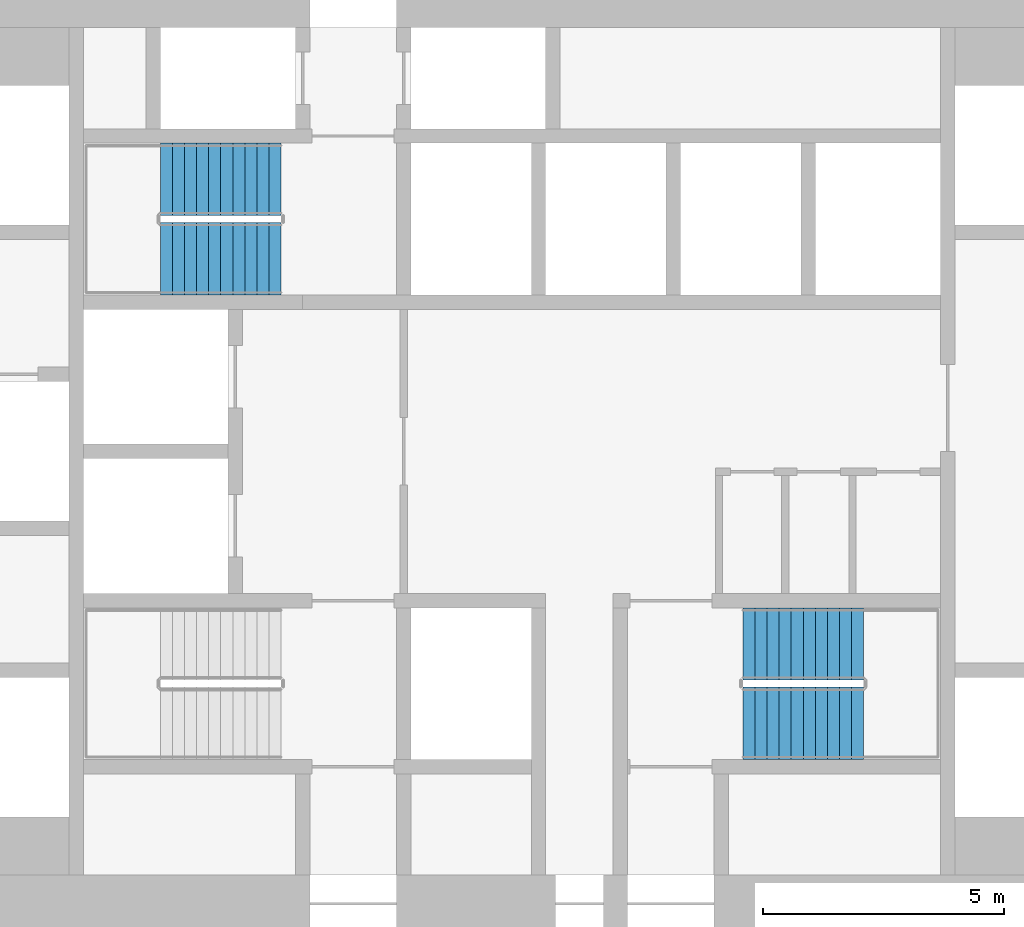
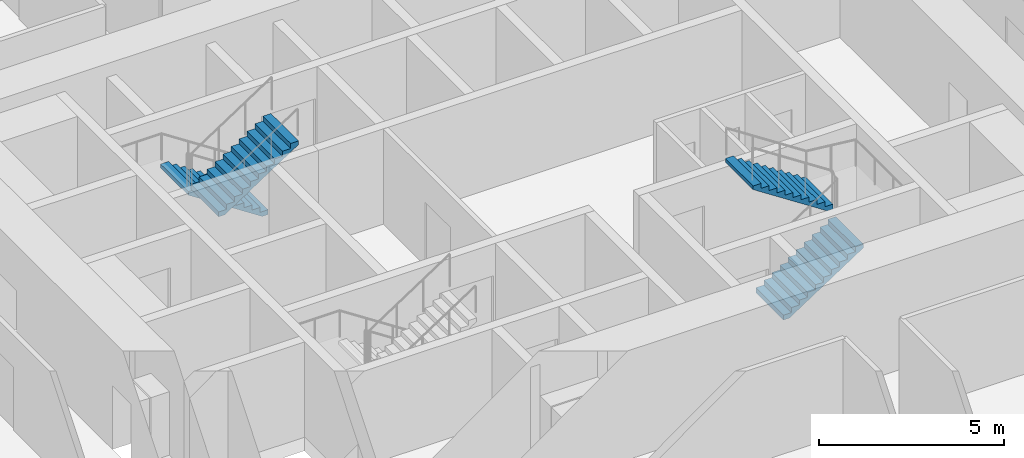
# One storey, part 11 of 12: 4 stair flights, 2 elements without a shape of their own.
"""IFC4 building model written with IfcOpenShell, lengths in metres."""

import ifcopenshell
import ifcopenshell.guid

model = None  # the IFC model being written
_history = None  # IfcOwnerHistory: only IFC2X3 demands one
_inside = {}  # id of a spatial element -> (the spatial element, [elements in it])
_under = {}  # id of a project, library or spatial element -> (it, [spatial elements below it])
_declared = {}  # id of a project -> (the project, [libraries it declares])
_typed = {}  # id of a type object -> (the type object, [elements of that type])
_made_of = {}  # id of a material, layer set ... -> (it, [elements and type objects made of it])


def new_model(schema):
    """Start an empty IFC model of exactly this schema.

    Asked for "IFC4X3", IfcOpenShell would pick the latest addendum, in which some entities
    have other attributes; the version numbers below select the first issue.
    IFC2X3 requires an IfcOwnerHistory on every rooted entity: one is made here for all.
    """
    global model, _history
    if schema == "IFC4X3":
        model = ifcopenshell.file(schema_version=(4, 3, 0, 0))
    else:
        model = ifcopenshell.file(schema=schema)
    _inside.clear()
    _under.clear()
    _declared.clear()
    _typed.clear()
    _made_of.clear()
    _history = None
    if model.schema == "IFC2X3":
        org = make("IfcOrganization", Name="unknown")
        user = make(
            "IfcPersonAndOrganization",
            ThePerson=make("IfcPerson", FamilyName="unknown"),
            TheOrganization=org,
        )
        app = make(
            "IfcApplication",
            ApplicationDeveloper=org,
            Version="unknown",
            ApplicationFullName="unknown",
            ApplicationIdentifier="unknown",
        )
        _history = make(
            "IfcOwnerHistory",
            OwningUser=user,
            OwningApplication=app,
            ChangeAction="ADDED",
            CreationDate=0,
        )
    return model


def make(cls, **values):
    """One entity of the class cls with the attributes given. An attribute that is None is left unset."""
    return model.create_entity(
        cls, **{name: value for name, value in values.items() if value is not None}
    )


def rooted(cls, **values):
    """An entity with a GlobalId (a new one), such as an element, a storey or a relation."""
    return make(cls, GlobalId=ifcopenshell.guid.new(), OwnerHistory=_history, **values)


def si_unit(unit_type, name, prefix=None):
    """IfcSIUnit, for example si_unit("LENGTHUNIT", "METRE", prefix="MILLI")."""
    return make("IfcSIUnit", UnitType=unit_type, Prefix=prefix, Name=name)


def assignment(units):
    """IfcUnitAssignment: the units of a project."""
    return None if units is None else make("IfcUnitAssignment", Units=units)


def point(xyz):
    """IfcCartesianPoint."""
    return None if xyz is None else make("IfcCartesianPoint", Coordinates=xyz)


def direction(xyz):
    """IfcDirection."""
    return None if xyz is None else make("IfcDirection", DirectionRatios=xyz)


def frame(location, z_axis=None, x_axis=None):
    """IfcAxis2Placement3D, a coordinate frame: its origin and axes. An axis left out is left unset."""
    return make(
        "IfcAxis2Placement3D",
        Location=point(location),
        Axis=direction(z_axis),
        RefDirection=direction(x_axis),
    )


def origin():
    """The frame at (0, 0, 0) with its axes left unset."""
    return frame((0.0, 0.0, 0.0))


def place(relative_to, where):
    """IfcLocalPlacement: puts the frame where relative to a parent placement (None: the world)."""
    return make(
        "IfcLocalPlacement", PlacementRelTo=relative_to, RelativePlacement=where
    )


def context(
    kind, dimensions, precision=None, world=None, true_north=None, identifier=None
):
    """IfcGeometricRepresentationContext, for example the 3D "Model" context."""
    return make(
        "IfcGeometricRepresentationContext",
        ContextIdentifier=identifier,
        ContextType=kind,
        CoordinateSpaceDimension=dimensions,
        Precision=precision,
        WorldCoordinateSystem=world,
        TrueNorth=true_north,
    )


def subcontext(parent, identifier, kind, view, scale=None):
    """IfcGeometricRepresentationSubContext, for example "Body" below "Model"."""
    return make(
        "IfcGeometricRepresentationSubContext",
        ContextIdentifier=identifier,
        ContextType=kind,
        ParentContext=parent,
        TargetScale=scale,
        TargetView=view,
    )


def project(units=None, contexts=None):
    """IfcProject with its units and contexts."""
    return rooted(
        "IfcProject",
        Name="project",
        RepresentationContexts=contexts,
        UnitsInContext=assignment(units),
    )


def spatial(cls, under=None, at=None, **own):
    """A site, building, storey or space (cls), placed at a placement, below another one or the project."""
    s = rooted(cls, ObjectPlacement=at, **own)
    if under is not None:
        _under.setdefault(under.id(), (under, []))[1].append(s)
    return s


def polyline(points):
    """IfcPolyline through the points."""
    return make("IfcPolyline", Points=[point(p) for p in points])


def outline(outer, holes=None, kind="AREA"):
    """IfcArbitraryClosedProfileDef: a profile drawn as a closed curve; with holes, ...WithVoids."""
    if holes is None:
        return make("IfcArbitraryClosedProfileDef", ProfileType=kind, OuterCurve=outer)
    return make(
        "IfcArbitraryProfileDefWithVoids",
        ProfileType=kind,
        OuterCurve=outer,
        InnerCurves=holes,
    )


def extrude(swept, where, along, depth):
    """IfcExtrudedAreaSolid: the profile swept, set in the frame where, extruded along a direction by depth."""
    return make(
        "IfcExtrudedAreaSolid",
        SweptArea=swept,
        Position=where,
        ExtrudedDirection=direction(along),
        Depth=depth,
    )


def shape(context_of_items, identifier, shape_type, items):
    """IfcShapeRepresentation: the items that make up one representation, for example the "Body"."""
    return make(
        "IfcShapeRepresentation",
        ContextOfItems=context_of_items,
        RepresentationIdentifier=identifier,
        RepresentationType=shape_type,
        Items=items,
    )


def material(Name=None, Category=None):
    """IfcMaterial."""
    return make("IfcMaterial", Name=Name, Category=Category)


def made_of(thing, what):
    """Note that an element or type object is made of a material, layer set ...; save() writes the relation."""
    if what is not None:
        _made_of.setdefault(what.id(), (what, []))[1].append(thing)
    return thing


def type_object(cls, material=None, **own):
    """A type object (cls), such as IfcWallType, which elements share."""
    return made_of(rooted(cls, **own), material)


def element(
    cls,
    number,
    at=None,
    inside=None,
    cuts=None,
    type_object=None,
    material=None,
    context=None,
    identifier="Body",
    shape_type=None,
    held_by="IfcProductDefinitionShape",
    body=None,
    shapes=None,
    **own,
):
    """One element of the class cls, such as IfcWall. Its Tag is "e" and its number.

    at: its placement. inside: the storey or other place that contains it. cuts: it is an
    opening in that element (IfcRelVoidsElement). A single representation is given by context,
    identifier, shape_type and body (its items); several are given by shapes. held_by: the class
    of the entity that holds the representations. save() writes the other relations.
    """
    e = rooted(cls, Tag="e%d" % number, ObjectPlacement=at, **own)
    if body is not None:
        shapes = [shape(context, identifier, shape_type, body)]
    if shapes is not None:
        e.Representation = make(held_by, Representations=shapes)
    if inside is not None:
        _inside.setdefault(inside.id(), (inside, []))[1].append(e)
    if cuts is not None:
        rooted(
            "IfcRelVoidsElement", RelatingBuildingElement=cuts, RelatedOpeningElement=e
        )
    if type_object is not None:
        _typed.setdefault(type_object.id(), (type_object, []))[1].append(e)
    return made_of(e, material)


def aggregate(whole, parts):
    """IfcRelAggregates: a whole, such as a stair, and the parts it consists of."""
    return rooted("IfcRelAggregates", RelatingObject=whole, RelatedObjects=parts)


def save(model, path):
    """Write the relations noted so far, then the file.

    IfcRelAggregates (storeys below a building ...), IfcRelContainedInSpatialStructure (elements
    in a storey), IfcRelDefinesByType, IfcRelAssociatesMaterial and IfcRelDeclares: one each for
    every whole, place, type object, material and project.
    """
    for whole, parts in _under.values():
        aggregate(whole, parts)
    for where, things in _inside.values():
        rooted(
            "IfcRelContainedInSpatialStructure",
            RelatedElements=things,
            RelatingStructure=where,
        )
    for kind, things in _typed.values():
        rooted("IfcRelDefinesByType", RelatedObjects=things, RelatingType=kind)
    for what, things in _made_of.values():
        rooted("IfcRelAssociatesMaterial", RelatedObjects=things, RelatingMaterial=what)
    for by, libraries in _declared.values():
        rooted("IfcRelDeclares", RelatingContext=by, RelatedDefinitions=libraries)
    model.write(path)


model = new_model("IFC4")

# Units and contexts
model_context = context("Model", 3, precision=1e-05, world=origin(), true_north=direction((0.0, 1.0)))
body_context = subcontext(model_context, "Body", "Model", "MODEL_VIEW")
ifc_project = project(units=[si_unit("LENGTHUNIT", "METRE"), si_unit("AREAUNIT", "SQUARE_METRE"), si_unit("VOLUMEUNIT", "CUBIC_METRE"), si_unit("PLANEANGLEUNIT", "RADIAN"), si_unit("MASSUNIT", "GRAM", prefix="KILO")], contexts=[model_context])

# Site, building, storey
site_placement = place(None, origin())
site = spatial("IfcSite", under=ifc_project, at=site_placement, CompositionType="ELEMENT")
building_placement = place(site_placement, origin())
building = spatial("IfcBuilding", under=site, at=building_placement, Name="Tracery Tower", CompositionType="ELEMENT")
storey_placement = place(building_placement, frame((0.0, 0.0, 89.39990234375)))
storey = spatial("IfcBuildingStorey", under=building, at=storey_placement, Name="L22", CompositionType="ELEMENT", Elevation=89.39990234375)

# Stair, stair flights
ifc_material_1 = material(Name="Concrete C32/40", Category="concrete")
stair_type = type_object("IfcStairType", Name="Core stair 22 risers", PredefinedType="HALF_TURN_STAIR", material=ifc_material_1)
stair_1_placement = place(storey_placement, origin())
stair_1 = element("IfcStair", 1, at=stair_1_placement, inside=storey, type_object=stair_type, Name="L22 stair ST3", PredefinedType="HALF_TURN_STAIR")
ifc_material_2 = material(Name="Concrete C32/40", Category="concrete")
stair_flight_type = type_object("IfcStairFlightType", Name="Core stair flight 11 risers", PredefinedType="STRAIGHT", material=ifc_material_2)
stair_flight_1_placement = place(storey_placement, frame((-4.800048828125, 5.64990234375, 0.0), z_axis=(0.0, 0.0, 1.0), x_axis=(-1.0, 0.0, 0.0)))
stair_flight_1 = element("IfcStairFlight", 2, at=stair_flight_1_placement, type_object=stair_flight_type, Name="ST3 flight 1", NumberOfRisers=11, NumberOfTreads=10, PredefinedType="STRAIGHT", RiserHeight=0.163636364, TreadLength=0.25, context=body_context, shape_type="SweptSolid", body=[
    extrude(outline(polyline([(0.0, 0.0), (0.0, 0.002685546875), (0.0, 0.00537109375), (0.0, 0.008056640625), (0.0, 0.0107421875), (0.0, 0.013427734375), (0.0, 0.01611328125), (0.0, 0.018798828125), (0.0, 0.021484375), (0.0, 0.024169921875), (0.0, 0.02685546875), (0.0, 0.029541015625), (0.0, 0.0322265625), (0.0, 0.034912109375), (0.0, 0.03759765625), (0.0, 0.040283203125), (0.0, 0.04296875), (0.0, 0.045654296875), (0.0, 0.04833984375), (0.0, 0.051025390625), (0.0, 0.0537109375), (0.0, 0.056396484375), (0.0, 0.05908203125), (0.0, 0.061767578125), (0.0, 0.064453125), (0.0, 0.067138671875), (0.0, 0.06982421875), (0.0, 0.072509765625), (0.0, 0.0751953125), (0.0, 0.077880859375), (0.0, 0.08056640625), (0.0, 0.083251953125), (0.0, 0.0859375), (0.0, 0.088623046875), (0.0, 0.09130859375), (0.0, 0.093994140625), (0.0, 0.0966796875), (0.0, 0.099365234375), (0.0, 0.10205078125), (0.0, 0.104736328125), (0.0, 0.107421875), (0.0, 0.10986328125), (0.0, 0.112548828125), (0.0, 0.115234375), (0.0, 0.117919921875), (0.0, 0.12060546875), (0.0, 0.123291015625), (0.0, 0.1259765625), (0.0, 0.128662109375), (0.0, 0.13134765625), (0.0, 0.134033203125), (0.0, 0.13671875), (0.0, 0.139404296875), (0.0, 0.14208984375), (0.0, 0.144775390625), (0.0, 0.1474609375), (0.0, 0.150146484375), (0.0, 0.15283203125), (0.0, 0.155517578125), (0.0, 0.158203125), (0.0, 0.160888671875), (0.0, 0.16357421875), (0.25, 0.16357421875), (0.25, 0.327392578125), (0.5, 0.327392578125), (0.5, 0.490966796875), (0.75, 0.490966796875), (0.75, 0.654541015625), (1.0, 0.654541015625), (1.0, 0.818115234375), (1.25, 0.818115234375), (1.25, 0.98193359375), (1.5, 0.98193359375), (1.5, 1.1455078125), (1.75, 1.1455078125), (1.75, 1.30908203125), (2.0, 1.30908203125), (2.0, 1.47265625), (2.25, 1.47265625), (2.25, 1.636474609375), (2.5, 1.636474609375), (2.5, 1.634521484375), (2.5, 1.63232421875), (2.5, 1.63037109375), (2.5, 1.62841796875), (2.5, 1.62646484375), (2.5, 1.62451171875), (2.5, 1.62255859375), (2.5, 1.62060546875), (2.5, 1.61865234375), (2.5, 1.61669921875), (2.5, 1.61474609375), (2.5, 1.61279296875), (2.5, 1.61083984375), (2.5, 1.60888671875), (2.5, 1.60693359375), (2.5, 1.60498046875), (2.5, 1.60302734375), (2.5, 1.60107421875), (2.5, 1.59912109375), (2.5, 1.59716796875), (2.5, 1.59521484375), (2.5, 1.59326171875), (2.5, 1.59130859375), (2.5, 1.58935546875), (2.5, 1.58740234375), (2.5, 1.58544921875), (2.5, 1.58349609375), (2.5, 1.58154296875), (2.5, 1.57958984375), (2.5, 1.57763671875), (2.5, 1.57568359375), (2.5, 1.573486328125), (2.5, 1.571533203125), (2.5, 1.569580078125), (2.5, 1.567626953125), (2.5, 1.565673828125), (2.5, 1.563720703125), (2.5, 1.561767578125), (2.5, 1.559814453125), (2.5, 1.557861328125), (2.5, 1.555908203125), (2.5, 1.553955078125), (2.5, 1.552001953125), (2.5, 1.550048828125), (2.5, 1.548095703125), (2.5, 1.546142578125), (2.5, 1.544189453125), (2.5, 1.542236328125), (2.5, 1.540283203125), (2.5, 1.538330078125), (2.5, 1.536376953125), (2.5, 1.534423828125), (2.5, 1.532470703125), (2.5, 1.530517578125), (2.5, 1.528564453125), (2.5, 1.526611328125), (2.5, 1.524658203125), (2.5, 1.522705078125), (2.5, 1.520751953125), (2.5, 1.518798828125), (2.5, 1.516845703125), (0.182861328125, 0.0), (0.0, 0.0)])), frame((0.0, 0.75, 0.0), z_axis=(0.0, -1.0, 0.0), x_axis=(1.0, 0.0, 0.0)), (0.0, 0.0, 1.0), 1.5),
])
stair_flight_2_placement = place(storey_placement, frame((-7.300048828125, 4.0, 1.800048828125), z_axis=(0.0, 0.0, 1.0), x_axis=(1.0, 0.0, 0.0)))
stair_flight_2 = element("IfcStairFlight", 3, at=stair_flight_2_placement, type_object=stair_flight_type, Name="ST3 flight 2", NumberOfRisers=11, NumberOfTreads=10, PredefinedType="STRAIGHT", RiserHeight=0.163636364, TreadLength=0.25, context=body_context, shape_type="SweptSolid", body=[
    extrude(outline(polyline([(0.0, 0.0), (0.0, 0.002685546875), (0.0, 0.00537109375), (0.0, 0.008056640625), (0.0, 0.0107421875), (0.0, 0.013427734375), (0.0, 0.01611328125), (0.0, 0.018798828125), (0.0, 0.021484375), (0.0, 0.024169921875), (0.0, 0.02685546875), (0.0, 0.029541015625), (0.0, 0.0322265625), (0.0, 0.034912109375), (0.0, 0.03759765625), (0.0, 0.040283203125), (0.0, 0.04296875), (0.0, 0.045654296875), (0.0, 0.04833984375), (0.0, 0.051025390625), (0.0, 0.0537109375), (0.0, 0.056396484375), (0.0, 0.05908203125), (0.0, 0.061767578125), (0.0, 0.064453125), (0.0, 0.067138671875), (0.0, 0.06982421875), (0.0, 0.072509765625), (0.0, 0.0751953125), (0.0, 0.077880859375), (0.0, 0.08056640625), (0.0, 0.083251953125), (0.0, 0.0859375), (0.0, 0.088623046875), (0.0, 0.09130859375), (0.0, 0.093994140625), (0.0, 0.0966796875), (0.0, 0.099365234375), (0.0, 0.10205078125), (0.0, 0.104736328125), (0.0, 0.107421875), (0.0, 0.10986328125), (0.0, 0.112548828125), (0.0, 0.115234375), (0.0, 0.117919921875), (0.0, 0.12060546875), (0.0, 0.123291015625), (0.0, 0.1259765625), (0.0, 0.128662109375), (0.0, 0.13134765625), (0.0, 0.134033203125), (0.0, 0.13671875), (0.0, 0.139404296875), (0.0, 0.14208984375), (0.0, 0.144775390625), (0.0, 0.1474609375), (0.0, 0.150146484375), (0.0, 0.15283203125), (0.0, 0.155517578125), (0.0, 0.158203125), (0.0, 0.160888671875), (0.0, 0.16357421875), (0.25, 0.16357421875), (0.25, 0.327392578125), (0.5, 0.327392578125), (0.5, 0.490966796875), (0.75, 0.490966796875), (0.75, 0.654541015625), (1.0, 0.654541015625), (1.0, 0.818115234375), (1.25, 0.818115234375), (1.25, 0.98193359375), (1.5, 0.98193359375), (1.5, 1.1455078125), (1.75, 1.1455078125), (1.75, 1.30908203125), (2.0, 1.30908203125), (2.0, 1.47265625), (2.25, 1.47265625), (2.25, 1.636474609375), (2.5, 1.636474609375), (2.5, 1.634521484375), (2.5, 1.63232421875), (2.5, 1.63037109375), (2.5, 1.62841796875), (2.5, 1.62646484375), (2.5, 1.62451171875), (2.5, 1.62255859375), (2.5, 1.62060546875), (2.5, 1.61865234375), (2.5, 1.61669921875), (2.5, 1.61474609375), (2.5, 1.61279296875), (2.5, 1.61083984375), (2.5, 1.60888671875), (2.5, 1.60693359375), (2.5, 1.60498046875), (2.5, 1.60302734375), (2.5, 1.60107421875), (2.5, 1.59912109375), (2.5, 1.59716796875), (2.5, 1.59521484375), (2.5, 1.59326171875), (2.5, 1.59130859375), (2.5, 1.58935546875), (2.5, 1.58740234375), (2.5, 1.58544921875), (2.5, 1.58349609375), (2.5, 1.58154296875), (2.5, 1.57958984375), (2.5, 1.57763671875), (2.5, 1.57568359375), (2.5, 1.573486328125), (2.5, 1.571533203125), (2.5, 1.569580078125), (2.5, 1.567626953125), (2.5, 1.565673828125), (2.5, 1.563720703125), (2.5, 1.561767578125), (2.5, 1.559814453125), (2.5, 1.557861328125), (2.5, 1.555908203125), (2.5, 1.553955078125), (2.5, 1.552001953125), (2.5, 1.550048828125), (2.5, 1.548095703125), (2.5, 1.546142578125), (2.5, 1.544189453125), (2.5, 1.542236328125), (2.5, 1.540283203125), (2.5, 1.538330078125), (2.5, 1.536376953125), (2.5, 1.534423828125), (2.5, 1.532470703125), (2.5, 1.530517578125), (2.5, 1.528564453125), (2.5, 1.526611328125), (2.5, 1.524658203125), (2.5, 1.522705078125), (2.5, 1.520751953125), (2.5, 1.518798828125), (2.5, 1.516845703125), (0.182861328125, 0.0), (0.0, 0.0)])), frame((0.0, 0.75, 0.0), z_axis=(0.0, -1.0, 0.0), x_axis=(1.0, 0.0, 0.0)), (0.0, 0.0, 1.0), 1.5),
])
aggregate(stair_1, [stair_flight_1, stair_flight_2])

stair_2_placement = place(storey_placement, origin())
stair_2 = element("IfcStair", 4, at=stair_2_placement, inside=storey, type_object=stair_type, Name="L22 stair ST2", PredefinedType="HALF_TURN_STAIR")
stair_flight_3_placement = place(storey_placement, frame((4.800048828125, -5.64990234375, 0.0), z_axis=(0.0, 0.0, 1.0), x_axis=(1.0, 0.0, 0.0)))
stair_flight_3 = element("IfcStairFlight", 5, at=stair_flight_3_placement, type_object=stair_flight_type, Name="ST2 flight 1", NumberOfRisers=11, NumberOfTreads=10, PredefinedType="STRAIGHT", RiserHeight=0.163636364, TreadLength=0.25, context=body_context, shape_type="SweptSolid", body=[
    extrude(outline(polyline([(0.0, 0.0), (0.0, 0.002685546875), (0.0, 0.00537109375), (0.0, 0.008056640625), (0.0, 0.0107421875), (0.0, 0.013427734375), (0.0, 0.01611328125), (0.0, 0.018798828125), (0.0, 0.021484375), (0.0, 0.024169921875), (0.0, 0.02685546875), (0.0, 0.029541015625), (0.0, 0.0322265625), (0.0, 0.034912109375), (0.0, 0.03759765625), (0.0, 0.040283203125), (0.0, 0.04296875), (0.0, 0.045654296875), (0.0, 0.04833984375), (0.0, 0.051025390625), (0.0, 0.0537109375), (0.0, 0.056396484375), (0.0, 0.05908203125), (0.0, 0.061767578125), (0.0, 0.064453125), (0.0, 0.067138671875), (0.0, 0.06982421875), (0.0, 0.072509765625), (0.0, 0.0751953125), (0.0, 0.077880859375), (0.0, 0.08056640625), (0.0, 0.083251953125), (0.0, 0.0859375), (0.0, 0.088623046875), (0.0, 0.09130859375), (0.0, 0.093994140625), (0.0, 0.0966796875), (0.0, 0.099365234375), (0.0, 0.10205078125), (0.0, 0.104736328125), (0.0, 0.107421875), (0.0, 0.10986328125), (0.0, 0.112548828125), (0.0, 0.115234375), (0.0, 0.117919921875), (0.0, 0.12060546875), (0.0, 0.123291015625), (0.0, 0.1259765625), (0.0, 0.128662109375), (0.0, 0.13134765625), (0.0, 0.134033203125), (0.0, 0.13671875), (0.0, 0.139404296875), (0.0, 0.14208984375), (0.0, 0.144775390625), (0.0, 0.1474609375), (0.0, 0.150146484375), (0.0, 0.15283203125), (0.0, 0.155517578125), (0.0, 0.158203125), (0.0, 0.160888671875), (0.0, 0.16357421875), (0.25, 0.16357421875), (0.25, 0.327392578125), (0.5, 0.327392578125), (0.5, 0.490966796875), (0.75, 0.490966796875), (0.75, 0.654541015625), (1.0, 0.654541015625), (1.0, 0.818115234375), (1.25, 0.818115234375), (1.25, 0.98193359375), (1.5, 0.98193359375), (1.5, 1.1455078125), (1.75, 1.1455078125), (1.75, 1.30908203125), (2.0, 1.30908203125), (2.0, 1.47265625), (2.25, 1.47265625), (2.25, 1.636474609375), (2.5, 1.636474609375), (2.5, 1.634521484375), (2.5, 1.63232421875), (2.5, 1.63037109375), (2.5, 1.62841796875), (2.5, 1.62646484375), (2.5, 1.62451171875), (2.5, 1.62255859375), (2.5, 1.62060546875), (2.5, 1.61865234375), (2.5, 1.61669921875), (2.5, 1.61474609375), (2.5, 1.61279296875), (2.5, 1.61083984375), (2.5, 1.60888671875), (2.5, 1.60693359375), (2.5, 1.60498046875), (2.5, 1.60302734375), (2.5, 1.60107421875), (2.5, 1.59912109375), (2.5, 1.59716796875), (2.5, 1.59521484375), (2.5, 1.59326171875), (2.5, 1.59130859375), (2.5, 1.58935546875), (2.5, 1.58740234375), (2.5, 1.58544921875), (2.5, 1.58349609375), (2.5, 1.58154296875), (2.5, 1.57958984375), (2.5, 1.57763671875), (2.5, 1.57568359375), (2.5, 1.573486328125), (2.5, 1.571533203125), (2.5, 1.569580078125), (2.5, 1.567626953125), (2.5, 1.565673828125), (2.5, 1.563720703125), (2.5, 1.561767578125), (2.5, 1.559814453125), (2.5, 1.557861328125), (2.5, 1.555908203125), (2.5, 1.553955078125), (2.5, 1.552001953125), (2.5, 1.550048828125), (2.5, 1.548095703125), (2.5, 1.546142578125), (2.5, 1.544189453125), (2.5, 1.542236328125), (2.5, 1.540283203125), (2.5, 1.538330078125), (2.5, 1.536376953125), (2.5, 1.534423828125), (2.5, 1.532470703125), (2.5, 1.530517578125), (2.5, 1.528564453125), (2.5, 1.526611328125), (2.5, 1.524658203125), (2.5, 1.522705078125), (2.5, 1.520751953125), (2.5, 1.518798828125), (2.5, 1.516845703125), (0.182861328125, 0.0), (0.0, 0.0)])), frame((0.0, 0.75, 0.0), z_axis=(0.0, -1.0, 0.0), x_axis=(1.0, 0.0, 0.0)), (0.0, 0.0, 1.0), 1.5),
])
stair_flight_4_placement = place(storey_placement, frame((7.300048828125, -4.0, 1.800048828125), z_axis=(0.0, 0.0, 1.0), x_axis=(-1.0, 0.0, 0.0)))
stair_flight_4 = element("IfcStairFlight", 6, at=stair_flight_4_placement, type_object=stair_flight_type, Name="ST2 flight 2", NumberOfRisers=11, NumberOfTreads=10, PredefinedType="STRAIGHT", RiserHeight=0.163636364, TreadLength=0.25, context=body_context, shape_type="SweptSolid", body=[
    extrude(outline(polyline([(0.0, 0.0), (0.0, 0.002685546875), (0.0, 0.00537109375), (0.0, 0.008056640625), (0.0, 0.0107421875), (0.0, 0.013427734375), (0.0, 0.01611328125), (0.0, 0.018798828125), (0.0, 0.021484375), (0.0, 0.024169921875), (0.0, 0.02685546875), (0.0, 0.029541015625), (0.0, 0.0322265625), (0.0, 0.034912109375), (0.0, 0.03759765625), (0.0, 0.040283203125), (0.0, 0.04296875), (0.0, 0.045654296875), (0.0, 0.04833984375), (0.0, 0.051025390625), (0.0, 0.0537109375), (0.0, 0.056396484375), (0.0, 0.05908203125), (0.0, 0.061767578125), (0.0, 0.064453125), (0.0, 0.067138671875), (0.0, 0.06982421875), (0.0, 0.072509765625), (0.0, 0.0751953125), (0.0, 0.077880859375), (0.0, 0.08056640625), (0.0, 0.083251953125), (0.0, 0.0859375), (0.0, 0.088623046875), (0.0, 0.09130859375), (0.0, 0.093994140625), (0.0, 0.0966796875), (0.0, 0.099365234375), (0.0, 0.10205078125), (0.0, 0.104736328125), (0.0, 0.107421875), (0.0, 0.10986328125), (0.0, 0.112548828125), (0.0, 0.115234375), (0.0, 0.117919921875), (0.0, 0.12060546875), (0.0, 0.123291015625), (0.0, 0.1259765625), (0.0, 0.128662109375), (0.0, 0.13134765625), (0.0, 0.134033203125), (0.0, 0.13671875), (0.0, 0.139404296875), (0.0, 0.14208984375), (0.0, 0.144775390625), (0.0, 0.1474609375), (0.0, 0.150146484375), (0.0, 0.15283203125), (0.0, 0.155517578125), (0.0, 0.158203125), (0.0, 0.160888671875), (0.0, 0.16357421875), (0.25, 0.16357421875), (0.25, 0.327392578125), (0.5, 0.327392578125), (0.5, 0.490966796875), (0.75, 0.490966796875), (0.75, 0.654541015625), (1.0, 0.654541015625), (1.0, 0.818115234375), (1.25, 0.818115234375), (1.25, 0.98193359375), (1.5, 0.98193359375), (1.5, 1.1455078125), (1.75, 1.1455078125), (1.75, 1.30908203125), (2.0, 1.30908203125), (2.0, 1.47265625), (2.25, 1.47265625), (2.25, 1.636474609375), (2.5, 1.636474609375), (2.5, 1.634521484375), (2.5, 1.63232421875), (2.5, 1.63037109375), (2.5, 1.62841796875), (2.5, 1.62646484375), (2.5, 1.62451171875), (2.5, 1.62255859375), (2.5, 1.62060546875), (2.5, 1.61865234375), (2.5, 1.61669921875), (2.5, 1.61474609375), (2.5, 1.61279296875), (2.5, 1.61083984375), (2.5, 1.60888671875), (2.5, 1.60693359375), (2.5, 1.60498046875), (2.5, 1.60302734375), (2.5, 1.60107421875), (2.5, 1.59912109375), (2.5, 1.59716796875), (2.5, 1.59521484375), (2.5, 1.59326171875), (2.5, 1.59130859375), (2.5, 1.58935546875), (2.5, 1.58740234375), (2.5, 1.58544921875), (2.5, 1.58349609375), (2.5, 1.58154296875), (2.5, 1.57958984375), (2.5, 1.57763671875), (2.5, 1.57568359375), (2.5, 1.573486328125), (2.5, 1.571533203125), (2.5, 1.569580078125), (2.5, 1.567626953125), (2.5, 1.565673828125), (2.5, 1.563720703125), (2.5, 1.561767578125), (2.5, 1.559814453125), (2.5, 1.557861328125), (2.5, 1.555908203125), (2.5, 1.553955078125), (2.5, 1.552001953125), (2.5, 1.550048828125), (2.5, 1.548095703125), (2.5, 1.546142578125), (2.5, 1.544189453125), (2.5, 1.542236328125), (2.5, 1.540283203125), (2.5, 1.538330078125), (2.5, 1.536376953125), (2.5, 1.534423828125), (2.5, 1.532470703125), (2.5, 1.530517578125), (2.5, 1.528564453125), (2.5, 1.526611328125), (2.5, 1.524658203125), (2.5, 1.522705078125), (2.5, 1.520751953125), (2.5, 1.518798828125), (2.5, 1.516845703125), (0.182861328125, 0.0), (0.0, 0.0)])), frame((0.0, 0.75, 0.0), z_axis=(0.0, -1.0, 0.0), x_axis=(1.0, 0.0, 0.0)), (0.0, 0.0, 1.0), 1.5),
])
aggregate(stair_2, [stair_flight_3, stair_flight_4])

save(model, "model.ifc")
